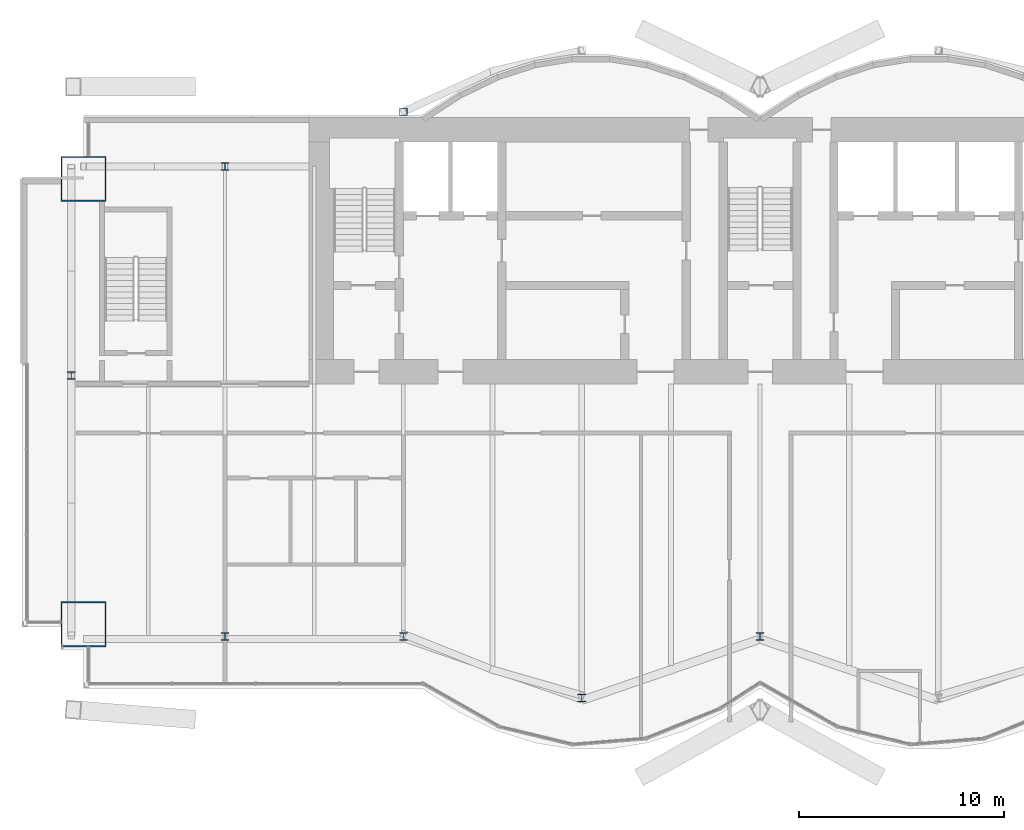
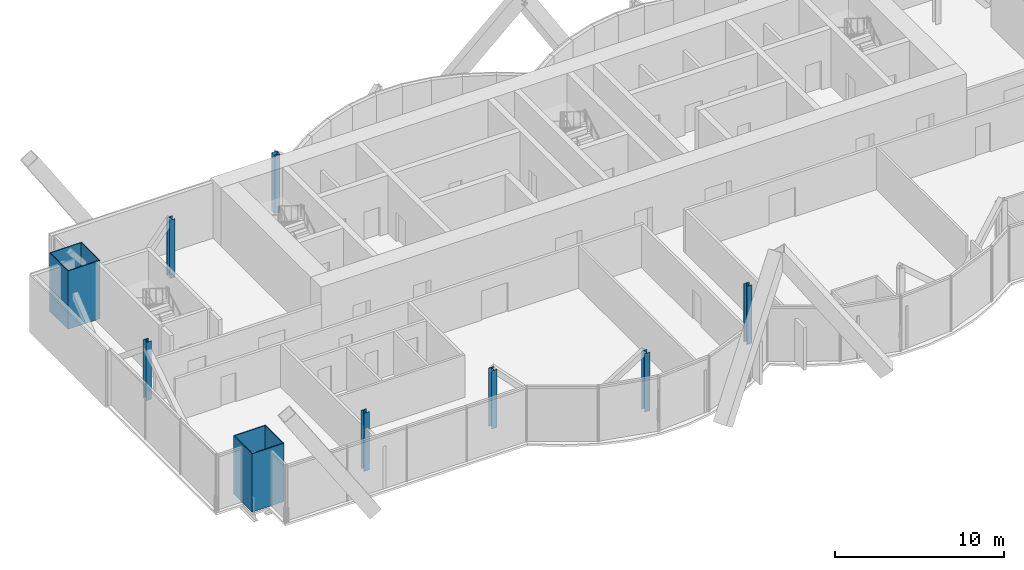
# One storey, part 1 of 19: 9 columns.
"""IFC4 building model written with IfcOpenShell, lengths in metres."""

from ifc_helpers import new_model, si_unit, direction, frame, origin, origin_2d, place, context, subcontext, project, spatial, hollow_rectangle, i_section, extrude, material, material_profile, profile_set, type_object, element, save


model = new_model("IFC4")

# Units and contexts
model_context = context("Model", 3, precision=1e-05, world=origin(), true_north=direction((0.0, 1.0)))
body_context = subcontext(model_context, "Body", "Model", "MODEL_VIEW")
ifc_project = project(units=[si_unit("LENGTHUNIT", "METRE"), si_unit("AREAUNIT", "SQUARE_METRE"), si_unit("VOLUMEUNIT", "CUBIC_METRE"), si_unit("PLANEANGLEUNIT", "RADIAN"), si_unit("MASSUNIT", "GRAM", prefix="KILO")], contexts=[model_context])

# Site, building, storey
site_placement = place(None, origin())
site = spatial("IfcSite", under=ifc_project, at=site_placement, CompositionType="ELEMENT")
building_placement = place(site_placement, origin())
building = spatial("IfcBuilding", under=site, at=building_placement, Name="Bicima Exchange Tower", CompositionType="ELEMENT")
storey_placement = place(building_placement, frame((0.0, 0.0, 283.39990234375)))
storey = spatial("IfcBuildingStorey", under=building, at=storey_placement, Name="L64", CompositionType="ELEMENT", Elevation=283.39990234375)

# Columns
ifc_material_1 = material(Name="Steel ASTM A572 Gr 50", Category="steel")
ifc_material_profile_1 = material_profile(ifc_material_1, hollow_rectangle(XDim=2.199951171875, YDim=2.199951171875, WallThickness=0.06005859375, at=origin_2d()))
ifc_profile_set_1 = profile_set([ifc_material_profile_1], Name="Steel ASTM A572 Gr 50")
column_type_1 = type_object("IfcColumnType", Name="Mega column BOX 2200x2200x60", PredefinedType="COLUMN", material=ifc_profile_set_1)
for number, where, z_axis, x_axis, name in (
    (1, (-33.0, -24.72607421875, 0.0), (0.0, 0.0, 1.0), (1.0, 0.0, 0.0), "Mega column mega-33.0f"),
    (2, (-33.0, -3.0, 0.0), (0.0, 0.0, 1.0), (1.0, 0.0, 0.0), "Mega column mega-33.0r"),
):
    element("IfcColumn", number, at=place(storey_placement, frame(where, z_axis=z_axis, x_axis=x_axis)), inside=storey, type_object=column_type_1, Name=name, PredefinedType="COLUMN", context=body_context, shape_type="SweptSolid", body=[
        extrude(hollow_rectangle(XDim=2.199951171875, YDim=2.199951171875, WallThickness=0.06005859375, at=origin_2d()), origin(), (0.0, 0.0, 1.0), 4.2001953125),
    ])
ifc_material_2 = material(Name="Steel ASTM A992 Gr 50", Category="steel")
ifc_material_profile_2 = material_profile(ifc_material_2, i_section(OverallWidth=0.370849609375, OverallDepth=0.36328125, WebThickness=0.013427734375, FlangeThickness=0.021728515625, at=origin_2d()))
ifc_profile_set_2 = profile_set([ifc_material_profile_2], Name="Steel ASTM A992 Gr 50")
column_type_2 = type_object("IfcColumnType", Name="Perimeter column W14x109", PredefinedType="COLUMN", material=ifc_profile_set_2)
for number, where, z_axis, x_axis, name in (
    (3, (-26.10009765625, -25.325927734375, 0.0), (0.0, 0.0, 1.0), (1.0, 0.0, 0.0), "Perimeter column grav-26.1f"),
    (4, (-26.10009765625, -2.39990234375, 0.0), (0.0, 0.0, 1.0), (1.0, 0.0, 0.0), "Perimeter column grav-26.1r"),
    (5, (-17.39990234375, -25.325927734375, 0.0), (0.0, 0.0, 1.0), (1.0, 0.0, 0.0), "Perimeter column grav-17.4f"),
    (6, (-8.699951171875, -28.317138671875, 0.0), (0.0, 0.0, 1.0), (1.0, 0.0, 0.0), "Perimeter column grav-8.7f"),
    (7, (0.0, -25.325927734375, 0.0), (0.0, 0.0, 1.0), (1.0, 0.0, 0.0), "Perimeter column grav-0.0f"),
    (8, (-33.60009765625, -12.60009765625, 0.0), (0.0, 0.0, 1.0), (1.0, 0.0, 0.0), "End column end-33.6e"),
):
    element("IfcColumn", number, at=place(storey_placement, frame(where, z_axis=z_axis, x_axis=x_axis)), inside=storey, type_object=column_type_2, Name=name, PredefinedType="COLUMN", context=body_context, shape_type="SweptSolid", body=[
        extrude(i_section(OverallWidth=0.370849609375, OverallDepth=0.36328125, WebThickness=0.013427734375, FlangeThickness=0.021728515625, at=origin_2d()), origin(), (0.0, 0.0, 1.0), 4.2001953125),
    ])
ifc_material_profile_3 = material_profile(ifc_material_1, hollow_rectangle(XDim=0.355712890625, YDim=0.355712890625, WallThickness=0.01171875, at=origin_2d()))
ifc_profile_set_3 = profile_set([ifc_material_profile_3], Name="Steel ASTM A572 Gr 50")
column_type_3 = type_object("IfcColumnType", Name="Rear pilaster HSS14x14x1/2", PredefinedType="COLUMN", material=ifc_profile_set_3)
column_placement = place(storey_placement, frame((-17.39990234375, 0.278076171875, 0.0), z_axis=(0.0, 0.0, 1.0), x_axis=(1.0, 0.0, 0.0)))
element("IfcColumn", 9, at=column_placement, inside=storey, type_object=column_type_3, Name="Rear pilaster rexo-17.4r", PredefinedType="COLUMN", context=body_context, shape_type="SweptSolid", body=[
    extrude(hollow_rectangle(XDim=0.355712890625, YDim=0.355712890625, WallThickness=0.01171875, at=origin_2d()), origin(), (0.0, 0.0, 1.0), 4.2001953125),
])

save(model, "model.ifc")
